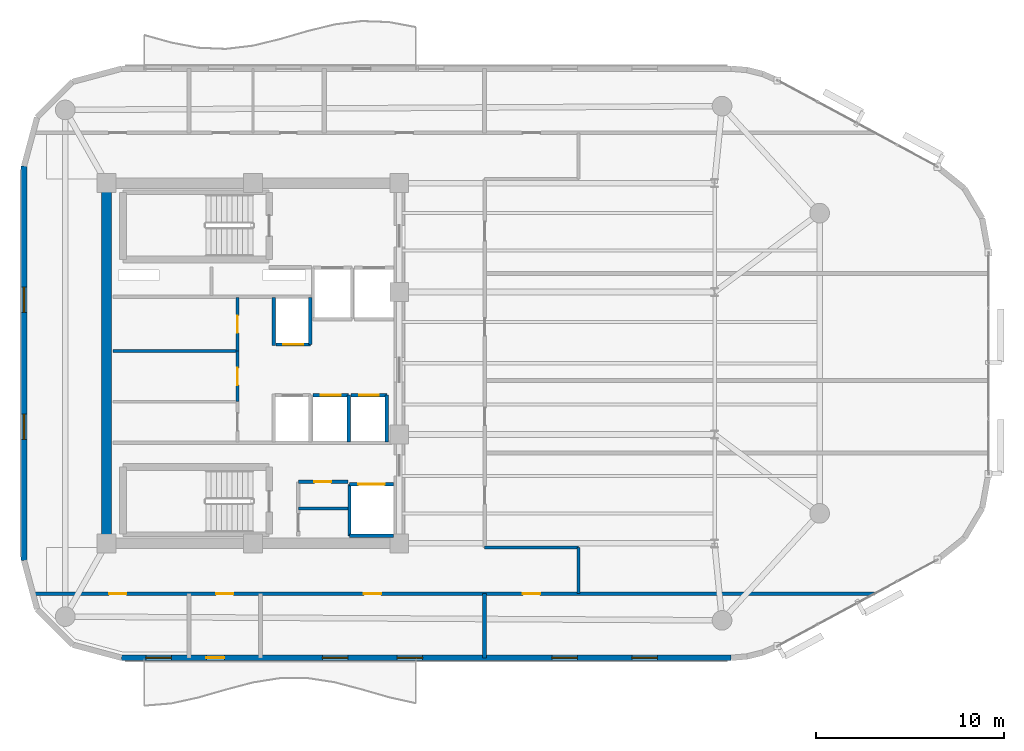
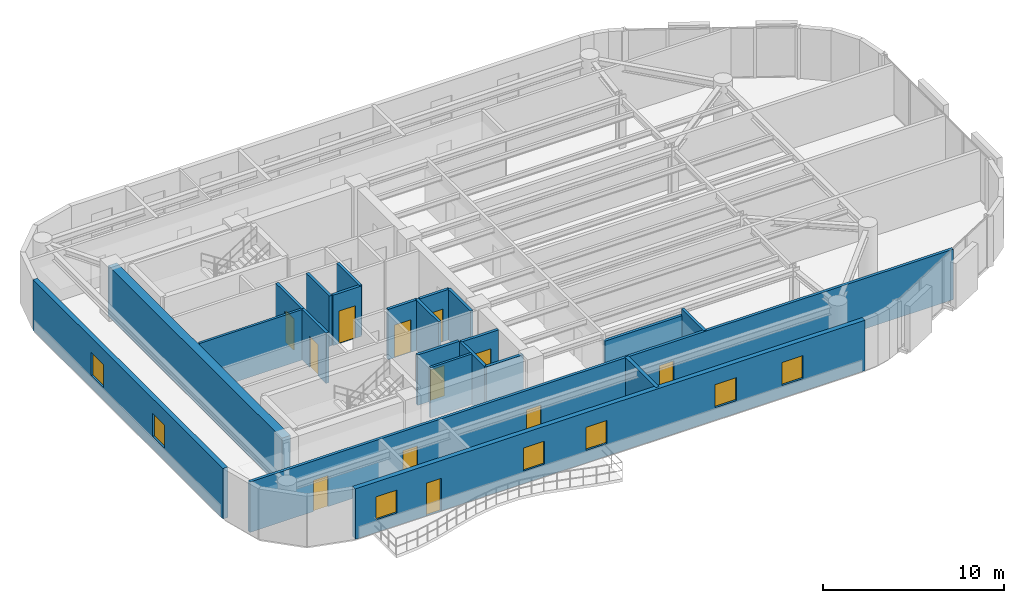
# One storey, part 9 of 13: 22 walls, 12 doors, 7 windows, 19 openings.
"""IFC4 building model written with IfcOpenShell, lengths in metres."""

from ifc_helpers import new_model, si_unit, direction, frame, frame_2d, origin, place, context, subcontext, project, spatial, rectangle, extrude, material, layer, layer_set, type_object, element, fill, save


model = new_model("IFC4")

# Units and contexts
model_context = context("Model", 3, precision=1e-05, world=origin(), true_north=direction((0.0, 1.0)))
body_context = subcontext(model_context, "Body", "Model", "MODEL_VIEW")
ifc_project = project(units=[si_unit("LENGTHUNIT", "METRE"), si_unit("AREAUNIT", "SQUARE_METRE"), si_unit("VOLUMEUNIT", "CUBIC_METRE"), si_unit("PLANEANGLEUNIT", "RADIAN"), si_unit("MASSUNIT", "GRAM", prefix="KILO")], contexts=[model_context])

# Site, building, storey
site_placement = place(None, origin())
site = spatial("IfcSite", under=ifc_project, at=site_placement, CompositionType="ELEMENT")
building_placement = place(site_placement, origin())
building = spatial("IfcBuilding", under=site, at=building_placement, Name="An Khanh Terracotta Commons", CompositionType="ELEMENT")
storey_placement = place(building_placement, frame((0.0, 0.0, 215.699951171875)))
storey = spatial("IfcBuildingStorey", under=building, at=storey_placement, Name="L56", CompositionType="ELEMENT", Elevation=215.699951171875)

# Wall
ifc_material_1 = material(Name="Concrete C50/60", Category="concrete")
ifc_layer_1 = layer(ifc_material_1, 0.550048828125, Name="Concrete C50/60")
ifc_layer_set_1 = layer_set([ifc_layer_1], Name="Concrete C50/60")
wall_type_1 = type_object("IfcWallType", Name="WALL-CORE-550", PredefinedType="SHEAR", material=ifc_layer_set_1)
wall_1_placement = place(storey_placement, frame((21.60009765625, 14.39990234375, 0.0), z_axis=(0.0, 0.0, 1.0), x_axis=(0.0, 1.0, 0.0)))
element("IfcWall", 1, at=wall_1_placement, inside=storey, type_object=wall_type_1, Name="L56 Core Wall CWALL-L56-W", PredefinedType="SHEAR", context=body_context, shape_type="SweptSolid", body=[
    extrude(rectangle(XDim=19.2001953125, YDim=0.550048828125, at=frame_2d((9.60009765625, 0.0))), origin(), (0.0, 0.0, 1.0), 3.400146484375),
])

# Wall, opening, door
ifc_material_2 = material(Name="Fire-Rated Gypsum Board on Steel Stud", Category="steel")
ifc_layer_2 = layer(ifc_material_2, 0.179931640625, Name="Fire-Rated Gypsum Board on Steel Stud")
ifc_layer_set_2 = layer_set([ifc_layer_2], Name="Fire-Rated Gypsum Board on Steel Stud")
wall_type_2 = type_object("IfcWallType", Name="WALL-CORR-180", PredefinedType="PARTITIONING", material=ifc_layer_set_2)
wall_2_placement = place(storey_placement, frame((31.820068359375, 17.679931640625, 0.0), z_axis=(0.0, 0.0, 1.0), x_axis=(1.0, 0.0, 0.0)))
wall_2 = element("IfcWall", 2, at=wall_2_placement, inside=storey, type_object=wall_type_2, Name="L56 Core Wall SSVCW-L56-N", PredefinedType="PARTITIONING", context=body_context, shape_type="SweptSolid", body=[
    extrude(rectangle(XDim=2.659912109375, YDim=0.179931640625, at=frame_2d((1.330078125, 0.0))), origin(), (0.0, 0.0, 1.0), 3.400146484375),
])
opening_1_placement = place(wall_2_placement, frame((0.85009765625, 0.0, 0.0)))
opening_1 = element("IfcOpeningElement", 3, at=opening_1_placement, cuts=wall_2, Name="Opening D-SV", PredefinedType="OPENING", context=body_context, shape_type="SweptSolid", body=[
    extrude(rectangle(XDim=0.89990234375, YDim=2.050048828125, at=frame_2d((0.449951171875, 1.02490234375))), frame((0.0, 0.099853515625, 0.0), z_axis=(0.0, -1.0, 0.0), x_axis=(1.0, 0.0, 0.0)), (0.0, 0.0, 1.0), 0.199951171875),
])
ifc_material_3 = material(Name="Fire-Rated Powder-Coated Steel Door", Category="steel")
door_type_1 = type_object("IfcDoorType", Name="DOOR-SERV-900", OperationType="NOTDEFINED", PredefinedType="DOOR", material=ifc_material_3)
door_1_placement = place(opening_1_placement, origin())
door_1 = element("IfcDoor", 4, at=door_1_placement, inside=storey, type_object=door_type_1, Name="L56 Core Cleaner Store Door", OperationType="SINGLE_SWING_LEFT", OverallHeight=2.050048828125, OverallWidth=0.89990234375, PredefinedType="DOOR", context=body_context, shape_type="SweptSolid", body=[
    extrude(rectangle(XDim=0.89990234375, YDim=2.050048828125, at=frame_2d((0.449951171875, 1.02490234375))), frame((0.0, 0.02490234375, 0.0), z_axis=(0.0, -1.0, 0.0), x_axis=(1.0, 0.0, 0.0)), (0.0, 0.0, 1.0), 0.050048828125),
])
fill(opening_1, door_1)

wall_3_placement = place(storey_placement, frame((34.550048828125, 17.550048828125, 0.0), z_axis=(0.0, 0.0, 1.0), x_axis=(1.0, 0.0, 0.0)))
wall_3 = element("IfcWall", 5, at=wall_3_placement, inside=storey, type_object=wall_type_2, Name="L56 Core Wall LSH-L56-SVL-01-N", PredefinedType="PARTITIONING", context=body_context, shape_type="SweptSolid", body=[
    extrude(rectangle(XDim=2.349853515625, YDim=0.179931640625, at=frame_2d((1.1748046875, 0.0))), origin(), (0.0, 0.0, 1.0), 3.400146484375),
])
opening_2_placement = place(wall_3_placement, frame((0.47509765625, 0.0, 0.0)))
opening_2 = element("IfcOpeningElement", 6, at=opening_2_placement, cuts=wall_3, Name="Opening LD-SVL-01-L56", PredefinedType="OPENING", context=body_context, shape_type="SweptSolid", body=[
    extrude(rectangle(XDim=1.39990234375, YDim=2.300048828125, at=frame_2d((0.699951171875, 1.14990234375))), frame((0.0, 0.099853515625, 0.0), z_axis=(0.0, -1.0, 0.0), x_axis=(1.0, 0.0, 0.0)), (0.0, 0.0, 1.0), 0.199951171875),
])
ifc_material_4 = material(Name="Heavy-Duty Stainless Steel Goods Landing Door", Category="steel")
door_type_2 = type_object("IfcDoorType", Name="DOOR-LD-SVL-1400", OperationType="NOTDEFINED", PredefinedType="DOOR", material=ifc_material_4)
door_2_placement = place(opening_2_placement, origin())
door_2 = element("IfcDoor", 7, at=door_2_placement, inside=storey, type_object=door_type_2, Name="L56 Lift SVL-01 Sliding Landing Door", OperationType="DOUBLE_DOOR_SLIDING", OverallHeight=2.300048828125, OverallWidth=1.39990234375, PredefinedType="DOOR", context=body_context, shape_type="SweptSolid", body=[
    extrude(rectangle(XDim=1.39990234375, YDim=2.300048828125, at=frame_2d((0.699951171875, 1.14990234375))), frame((0.0, 0.02490234375, 0.0), z_axis=(0.0, -1.0, 0.0), x_axis=(1.0, 0.0, 0.0)), (0.0, 0.0, 1.0), 0.050048828125),
])
fill(opening_2, door_2)

# Walls
wall_4_placement = place(storey_placement, frame((36.89990234375, 14.800048828125, 0.0), z_axis=(0.0, 0.0, 1.0), x_axis=(-1.0, 0.0, 0.0)))
element("IfcWall", 8, at=wall_4_placement, inside=storey, type_object=wall_type_2, Name="L56 Core Wall LSH-L56-SVL-01-S", PredefinedType="PARTITIONING", context=body_context, shape_type="SweptSolid", body=[
    extrude(rectangle(XDim=2.349853515625, YDim=0.179931640625, at=frame_2d((1.1748046875, 0.0))), origin(), (0.0, 0.0, 1.0), 3.400146484375),
])
wall_5_placement = place(storey_placement, frame((34.550048828125, 17.550048828125, 0.0), z_axis=(0.0, 0.0, 1.0), x_axis=(0.0, -1.0, 0.0)))
element("IfcWall", 9, at=wall_5_placement, inside=storey, type_object=wall_type_2, Name="L56 Core Wall LSH-L56-SVL-01-W", PredefinedType="PARTITIONING", context=body_context, shape_type="SweptSolid", body=[
    extrude(rectangle(XDim=2.75, YDim=0.179931640625, at=frame_2d((1.375, 0.0))), origin(), (0.0, 0.0, 1.0), 3.400146484375),
])

# Wall, opening, door
wall_6_placement = place(storey_placement, frame((32.4599609375, 25.0, 0.0), z_axis=(0.0, 0.0, 1.0), x_axis=(-1.0, 0.0, 0.0)))
wall_6 = element("IfcWall", 10, at=wall_6_placement, inside=storey, type_object=wall_type_2, Name="L56 Core Wall LSH-L56-PL-H1-S", PredefinedType="PARTITIONING", context=body_context, shape_type="SweptSolid", body=[
    extrude(rectangle(XDim=1.820068359375, YDim=0.179931640625, at=frame_2d((0.91015625, 0.0))), origin(), (0.0, 0.0, 1.0), 3.400146484375),
])
opening_3_placement = place(wall_6_placement, frame((0.385009765625, 0.0, 0.0)))
opening_3 = element("IfcOpeningElement", 11, at=opening_3_placement, cuts=wall_6, Name="Opening LD-PL-H1-L56", PredefinedType="OPENING", context=body_context, shape_type="SweptSolid", body=[
    extrude(rectangle(XDim=1.050048828125, YDim=2.199951171875, at=frame_2d((0.52490234375, 1.10009765625))), frame((0.0, 0.099853515625, 0.0), z_axis=(0.0, -1.0, 0.0), x_axis=(1.0, 0.0, 0.0)), (0.0, 0.0, 1.0), 0.199951171875),
])
ifc_material_5 = material(Name="Brushed Stainless Steel High-Rise Landing Door", Category="steel")
door_type_3 = type_object("IfcDoorType", Name="DOOR-LD-PAXH-1050", OperationType="NOTDEFINED", PredefinedType="DOOR", material=ifc_material_5)
door_3_placement = place(opening_3_placement, origin())
door_3 = element("IfcDoor", 12, at=door_3_placement, inside=storey, type_object=door_type_3, Name="L56 Lift PL-H1 Sliding Landing Door", OperationType="DOUBLE_DOOR_SLIDING", OverallHeight=2.199951171875, OverallWidth=1.050048828125, PredefinedType="DOOR", context=body_context, shape_type="SweptSolid", body=[
    extrude(rectangle(XDim=1.050048828125, YDim=2.199951171875, at=frame_2d((0.52490234375, 1.10009765625))), frame((0.0, 0.02490234375, 0.0), z_axis=(0.0, -1.0, 0.0), x_axis=(1.0, 0.0, 0.0)), (0.0, 0.0, 1.0), 0.050048828125),
])
fill(opening_3, door_3)

# Wall
wall_7_placement = place(storey_placement, frame((32.4599609375, 25.0, 0.0), z_axis=(0.0, 0.0, 1.0), x_axis=(0.0, 1.0, 0.0)))
element("IfcWall", 13, at=wall_7_placement, inside=storey, type_object=wall_type_2, Name="L56 Core Wall LSH-L56-PL-H1-E", PredefinedType="PARTITIONING", context=body_context, shape_type="SweptSolid", body=[
    extrude(rectangle(XDim=2.5, YDim=0.179931640625, at=frame_2d((1.25, 0.0))), origin(), (0.0, 0.0, 1.0), 3.400146484375),
])

# Wall, opening, door
wall_8_placement = place(storey_placement, frame((32.60009765625, 22.300048828125, 0.0), z_axis=(0.0, 0.0, 1.0), x_axis=(1.0, 0.0, 0.0)))
wall_8 = element("IfcWall", 14, at=wall_8_placement, inside=storey, type_object=wall_type_2, Name="L56 Core Wall LSH-L56-PL-H3-N", PredefinedType="PARTITIONING", context=body_context, shape_type="SweptSolid", body=[
    extrude(rectangle(XDim=1.89990234375, YDim=0.179931640625, at=frame_2d((0.949951171875, 0.0))), origin(), (0.0, 0.0, 1.0), 3.400146484375),
])
opening_4_placement = place(wall_8_placement, frame((0.425048828125, 0.0, 0.0)))
opening_4 = element("IfcOpeningElement", 15, at=opening_4_placement, cuts=wall_8, Name="Opening LD-PL-H3-L56", PredefinedType="OPENING", context=body_context, shape_type="SweptSolid", body=[
    extrude(rectangle(XDim=1.050048828125, YDim=2.199951171875, at=frame_2d((0.52490234375, 1.10009765625))), frame((0.0, 0.099853515625, 0.0), z_axis=(0.0, -1.0, 0.0), x_axis=(1.0, 0.0, 0.0)), (0.0, 0.0, 1.0), 0.199951171875),
])
door_4_placement = place(opening_4_placement, origin())
door_4 = element("IfcDoor", 16, at=door_4_placement, inside=storey, type_object=door_type_3, Name="L56 Lift PL-H3 Sliding Landing Door", OperationType="DOUBLE_DOOR_SLIDING", OverallHeight=2.199951171875, OverallWidth=1.050048828125, PredefinedType="DOOR", context=body_context, shape_type="SweptSolid", body=[
    extrude(rectangle(XDim=1.050048828125, YDim=2.199951171875, at=frame_2d((0.52490234375, 1.10009765625))), frame((0.0, 0.02490234375, 0.0), z_axis=(0.0, -1.0, 0.0), x_axis=(1.0, 0.0, 0.0)), (0.0, 0.0, 1.0), 0.050048828125),
])
fill(opening_4, door_4)

# Wall
wall_9_placement = place(storey_placement, frame((34.5, 19.800048828125, 0.0), z_axis=(0.0, 0.0, 1.0), x_axis=(0.0, 1.0, 0.0)))
element("IfcWall", 17, at=wall_9_placement, inside=storey, type_object=wall_type_2, Name="L56 Core Wall LSH-L56-PL-H3-E", PredefinedType="PARTITIONING", context=body_context, shape_type="SweptSolid", body=[
    extrude(rectangle(XDim=2.5, YDim=0.179931640625, at=frame_2d((1.25, 0.0))), origin(), (0.0, 0.0, 1.0), 3.400146484375),
])

# Wall, opening, door
wall_10_placement = place(storey_placement, frame((34.639892578125, 22.300048828125, 0.0), z_axis=(0.0, 0.0, 1.0), x_axis=(1.0, 0.0, 0.0)))
wall_10 = element("IfcWall", 18, at=wall_10_placement, inside=storey, type_object=wall_type_2, Name="L56 Core Wall LSH-L56-PL-H4-N", PredefinedType="PARTITIONING", context=body_context, shape_type="SweptSolid", body=[
    extrude(rectangle(XDim=1.900146484375, YDim=0.179931640625, at=frame_2d((0.9501953125, 0.0))), origin(), (0.0, 0.0, 1.0), 3.400146484375),
])
opening_5_placement = place(wall_10_placement, frame((0.425048828125, 0.0, 0.0)))
opening_5 = element("IfcOpeningElement", 19, at=opening_5_placement, cuts=wall_10, Name="Opening LD-PL-H4-L56", PredefinedType="OPENING", context=body_context, shape_type="SweptSolid", body=[
    extrude(rectangle(XDim=1.050048828125, YDim=2.199951171875, at=frame_2d((0.52490234375, 1.10009765625))), frame((0.0, 0.099853515625, 0.0), z_axis=(0.0, -1.0, 0.0), x_axis=(1.0, 0.0, 0.0)), (0.0, 0.0, 1.0), 0.199951171875),
])
door_5_placement = place(opening_5_placement, origin())
door_5 = element("IfcDoor", 20, at=door_5_placement, inside=storey, type_object=door_type_3, Name="L56 Lift PL-H4 Sliding Landing Door", OperationType="DOUBLE_DOOR_SLIDING", OverallHeight=2.199951171875, OverallWidth=1.050048828125, PredefinedType="DOOR", context=body_context, shape_type="SweptSolid", body=[
    extrude(rectangle(XDim=1.050048828125, YDim=2.199951171875, at=frame_2d((0.52490234375, 1.10009765625))), frame((0.0, 0.02490234375, 0.0), z_axis=(0.0, -1.0, 0.0), x_axis=(1.0, 0.0, 0.0)), (0.0, 0.0, 1.0), 0.050048828125),
])
fill(opening_5, door_5)

# Walls
wall_11_placement = place(storey_placement, frame((36.5400390625, 19.800048828125, 0.0), z_axis=(0.0, 0.0, 1.0), x_axis=(0.0, 1.0, 0.0)))
element("IfcWall", 21, at=wall_11_placement, inside=storey, type_object=wall_type_2, Name="L56 Core Wall LSH-L56-PL-H4-E", PredefinedType="PARTITIONING", context=body_context, shape_type="SweptSolid", body=[
    extrude(rectangle(XDim=2.5, YDim=0.179931640625, at=frame_2d((1.25, 0.0))), origin(), (0.0, 0.0, 1.0), 3.400146484375),
])
wall_12_placement = place(storey_placement, frame((30.52001953125, 24.949951171875, 0.0), z_axis=(0.0, 0.0, 1.0), x_axis=(0.0, 1.0, 0.0)))
element("IfcWall", 22, at=wall_12_placement, inside=storey, type_object=wall_type_2, Name="L56 Core Wall RECW-L56-BE1", PredefinedType="PARTITIONING", context=body_context, shape_type="SweptSolid", body=[
    extrude(rectangle(XDim=2.550048828125, YDim=0.179931640625, at=frame_2d((1.27490234375, 0.0))), origin(), (0.0, 0.0, 1.0), 3.400146484375),
])

# Wall, opening, door
wall_13_placement = place(storey_placement, frame((28.580078125, 24.64990234375, 0.0), z_axis=(0.0, 0.0, 1.0), x_axis=(0.0, 1.0, 0.0)))
wall_13 = element("IfcWall", 23, at=wall_13_placement, inside=storey, type_object=wall_type_2, Name="L56 Core Wall RECW-L56-E1", PredefinedType="PARTITIONING", context=body_context, shape_type="SweptSolid", body=[
    extrude(rectangle(XDim=2.85009765625, YDim=0.179931640625, at=frame_2d((1.425048828125, 0.0))), origin(), (0.0, 0.0, 1.0), 3.400146484375),
])
opening_6_placement = place(wall_13_placement, frame((0.965087890625, 0.0, 0.0)))
opening_6 = element("IfcOpeningElement", 24, at=opening_6_placement, cuts=wall_13, Name="Opening D-RM", PredefinedType="OPENING", context=body_context, shape_type="SweptSolid", body=[
    extrude(rectangle(XDim=0.919921875, YDim=2.10009765625, at=frame_2d((0.4599609375, 1.050048828125))), frame((0.0, 0.099853515625, 0.0), z_axis=(0.0, -1.0, 0.0), x_axis=(1.0, 0.0, 0.0)), (0.0, 0.0, 1.0), 0.199951171875),
])
ifc_material_6 = material(Name="Engineered Hardwood Timber Leaf", Category="wood")
door_type_4 = type_object("IfcDoorType", Name="DOOR-INT-920", OperationType="NOTDEFINED", PredefinedType="DOOR", material=ifc_material_6)
door_6_placement = place(opening_6_placement, origin())
door_6 = element("IfcDoor", 25, at=door_6_placement, inside=storey, type_object=door_type_4, Name="L56 Quiet Focus Pod Door", OperationType="SINGLE_SWING_LEFT", OverallHeight=2.10009765625, OverallWidth=0.919921875, PredefinedType="DOOR", context=body_context, shape_type="SweptSolid", body=[
    extrude(rectangle(XDim=0.919921875, YDim=2.10009765625, at=frame_2d((0.4599609375, 1.050048828125))), frame((0.0, 0.02490234375, 0.0), z_axis=(0.0, -1.0, 0.0), x_axis=(1.0, 0.0, 0.0)), (0.0, 0.0, 1.0), 0.050048828125),
])
fill(opening_6, door_6)

wall_14_placement = place(storey_placement, frame((28.580078125, 21.949951171875, 0.0), z_axis=(0.0, 0.0, 1.0), x_axis=(0.0, 1.0, 0.0)))
wall_14 = element("IfcWall", 26, at=wall_14_placement, inside=storey, type_object=wall_type_2, Name="L56 Core Wall RECW-L56-E2", PredefinedType="PARTITIONING", context=body_context, shape_type="SweptSolid", body=[
    extrude(rectangle(XDim=2.699951171875, YDim=0.179931640625, at=frame_2d((1.35009765625, 0.0))), origin(), (0.0, 0.0, 1.0), 3.400146484375),
])
opening_7_placement = place(wall_14_placement, frame((0.889892578125, 0.0, 0.0)))
opening_7 = element("IfcOpeningElement", 27, at=opening_7_placement, cuts=wall_14, Name="Opening D-RM", PredefinedType="OPENING", context=body_context, shape_type="SweptSolid", body=[
    extrude(rectangle(XDim=0.919921875, YDim=2.10009765625, at=frame_2d((0.4599609375, 1.050048828125))), frame((0.0, 0.099853515625, 0.0), z_axis=(0.0, -1.0, 0.0), x_axis=(1.0, 0.0, 0.0)), (0.0, 0.0, 1.0), 0.199951171875),
])
door_7_placement = place(opening_7_placement, origin())
door_7 = element("IfcDoor", 28, at=door_7_placement, inside=storey, type_object=door_type_4, Name="L56 Floor Pantry and Tea Room Door", OperationType="SINGLE_SWING_RIGHT", OverallHeight=2.10009765625, OverallWidth=0.919921875, PredefinedType="DOOR", context=body_context, shape_type="SweptSolid", body=[
    extrude(rectangle(XDim=0.919921875, YDim=2.10009765625, at=frame_2d((0.4599609375, 1.050048828125))), frame((0.0, 0.02490234375, 0.0), z_axis=(0.0, -1.0, 0.0), x_axis=(1.0, 0.0, 0.0)), (0.0, 0.0, 1.0), 0.050048828125),
])
fill(opening_7, door_7)

# Wall, openings, doors
wall_15_placement = place(storey_placement, frame((17.677001953125, 11.719970703125, 0.0), z_axis=(0.0, 0.0, 1.0), x_axis=(1.0, 0.0, 0.0)))
wall_15 = element("IfcWall", 29, at=wall_15_placement, inside=storey, type_object=wall_type_2, Name="L56 Interior Partition IW-L56-E001", PredefinedType="PARTITIONING", context=body_context, shape_type="SweptSolid", body=[
    extrude(rectangle(XDim=44.85302734375, YDim=0.179931640625, at=frame_2d((22.426513671875, 0.0))), origin(), (0.0, 0.0, 1.0), 3.400146484375),
])
opening_8_placement = place(wall_15_placement, frame((9.762939453125, 0.0, 0.0)))
opening_8 = element("IfcOpeningElement", 30, at=opening_8_placement, cuts=wall_15, Name="Opening D-RM", PredefinedType="OPENING", context=body_context, shape_type="SweptSolid", body=[
    extrude(rectangle(XDim=0.919921875, YDim=2.10009765625, at=frame_2d((0.4599609375, 1.050048828125))), frame((0.0, 0.099853515625, 0.0), z_axis=(0.0, -1.0, 0.0), x_axis=(1.0, 0.0, 0.0)), (0.0, 0.0, 1.0), 0.199951171875),
])
opening_9_placement = place(wall_15_placement, frame((26.113037109375, 0.0, 0.0)))
opening_9 = element("IfcOpeningElement", 31, at=opening_9_placement, cuts=wall_15, Name="Opening D-RM", PredefinedType="OPENING", context=body_context, shape_type="SweptSolid", body=[
    extrude(rectangle(XDim=0.919921875, YDim=2.10009765625, at=frame_2d((0.4599609375, 1.050048828125))), frame((0.0, 0.099853515625, 0.0), z_axis=(0.0, -1.0, 0.0), x_axis=(1.0, 0.0, 0.0)), (0.0, 0.0, 1.0), 0.199951171875),
])
opening_10_placement = place(wall_15_placement, frame((4.06298828125, 0.0, 0.0)))
opening_10 = element("IfcOpeningElement", 32, at=opening_10_placement, cuts=wall_15, Name="Opening D-RM", PredefinedType="OPENING", context=body_context, shape_type="SweptSolid", body=[
    extrude(rectangle(XDim=0.919921875, YDim=2.10009765625, at=frame_2d((0.4599609375, 1.050048828125))), frame((0.0, 0.099853515625, 0.0), z_axis=(0.0, -1.0, 0.0), x_axis=(1.0, 0.0, 0.0)), (0.0, 0.0, 1.0), 0.199951171875),
])
opening_11_placement = place(wall_15_placement, frame((17.637939453125, 0.0, 0.0)))
opening_11 = element("IfcOpeningElement", 33, at=opening_11_placement, cuts=wall_15, Name="Opening D-RM", PredefinedType="OPENING", context=body_context, shape_type="SweptSolid", body=[
    extrude(rectangle(XDim=0.919921875, YDim=2.10009765625, at=frame_2d((0.4599609375, 1.050048828125))), frame((0.0, 0.099853515625, 0.0), z_axis=(0.0, -1.0, 0.0), x_axis=(1.0, 0.0, 0.0)), (0.0, 0.0, 1.0), 0.199951171875),
])
door_8_placement = place(opening_8_placement, origin())
door_8 = element("IfcDoor", 34, at=door_8_placement, inside=storey, type_object=door_type_4, Name="L56 HKP Housekeeping Linen Store Door", OperationType="SINGLE_SWING_RIGHT", OverallHeight=2.10009765625, OverallWidth=0.919921875, PredefinedType="DOOR", context=body_context, shape_type="SweptSolid", body=[
    extrude(rectangle(XDim=0.919921875, YDim=2.10009765625, at=frame_2d((0.4599609375, 1.050048828125))), frame((0.0, 0.02490234375, 0.0), z_axis=(0.0, -1.0, 0.0), x_axis=(1.0, 0.0, 0.0)), (0.0, 0.0, 1.0), 0.050048828125),
])
fill(opening_8, door_8)
door_9_placement = place(opening_9_placement, origin())
door_9 = element("IfcDoor", 35, at=door_9_placement, inside=storey, type_object=door_type_4, Name="L56 FANS Quiet Focus Office Door", OperationType="SINGLE_SWING_RIGHT", OverallHeight=2.10009765625, OverallWidth=0.919921875, PredefinedType="DOOR", context=body_context, shape_type="SweptSolid", body=[
    extrude(rectangle(XDim=0.919921875, YDim=2.10009765625, at=frame_2d((0.4599609375, 1.050048828125))), frame((0.0, 0.02490234375, 0.0), z_axis=(0.0, -1.0, 0.0), x_axis=(1.0, 0.0, 0.0)), (0.0, 0.0, 1.0), 0.050048828125),
])
fill(opening_9, door_9)
door_10_placement = place(opening_10_placement, origin())
door_10 = element("IfcDoor", 36, at=door_10_placement, inside=storey, type_object=door_type_4, Name="L56 SW1 Student Reading Library Door", OperationType="SINGLE_SWING_LEFT", OverallHeight=2.10009765625, OverallWidth=0.919921875, PredefinedType="DOOR", context=body_context, shape_type="SweptSolid", body=[
    extrude(rectangle(XDim=0.919921875, YDim=2.10009765625, at=frame_2d((0.4599609375, 1.050048828125))), frame((0.0, 0.02490234375, 0.0), z_axis=(0.0, -1.0, 0.0), x_axis=(1.0, 0.0, 0.0)), (0.0, 0.0, 1.0), 0.050048828125),
])
fill(opening_10, door_10)
door_11_placement = place(opening_11_placement, origin())
door_11 = element("IfcDoor", 37, at=door_11_placement, inside=storey, type_object=door_type_4, Name="L56 SWE Music Practice Room Door", OperationType="SINGLE_SWING_RIGHT", OverallHeight=2.10009765625, OverallWidth=0.919921875, PredefinedType="DOOR", context=body_context, shape_type="SweptSolid", body=[
    extrude(rectangle(XDim=0.919921875, YDim=2.10009765625, at=frame_2d((0.4599609375, 1.050048828125))), frame((0.0, 0.02490234375, 0.0), z_axis=(0.0, -1.0, 0.0), x_axis=(1.0, 0.0, 0.0)), (0.0, 0.0, 1.0), 0.050048828125),
])
fill(opening_11, door_11)

# Walls
wall_16_placement = place(storey_placement, frame((41.75, 14.179931640625, 0.0), z_axis=(0.0, 0.0, 1.0), x_axis=(1.0, 0.0, 0.0)))
element("IfcWall", 38, at=wall_16_placement, inside=storey, type_object=wall_type_2, Name="L56 Interior Partition IW-L56-E002", PredefinedType="PARTITIONING", context=body_context, shape_type="SweptSolid", body=[
    extrude(rectangle(XDim=5.0, YDim=0.179931640625, at=frame_2d((2.5, 0.0))), origin(), (0.0, 0.0, 1.0), 2.98193359375),
])
wall_17_placement = place(storey_placement, frame((46.75, 11.719970703125, 0.0), z_axis=(0.0, 0.0, 1.0), x_axis=(0.0, 1.0, 0.0)))
element("IfcWall", 39, at=wall_17_placement, inside=storey, type_object=wall_type_2, Name="L56 Interior Partition IW-L56-E016", PredefinedType="PARTITIONING", context=body_context, shape_type="SweptSolid", body=[
    extrude(rectangle(XDim=2.4599609375, YDim=0.179931640625, at=frame_2d((1.22998046875, 0.0))), origin(), (0.0, 0.0, 1.0), 3.400146484375),
])

# Wall, openings, door, windows
ifc_material_7 = material(Name="Precast concrete C40/50", Category="concrete")
ifc_layer_3 = layer(ifc_material_7, 0.300048828125, Name="Precast concrete C40/50")
ifc_layer_set_3 = layer_set([ifc_layer_3], Name="Precast concrete C40/50")
wall_type_3 = type_object("IfcWallType", Name="WALL-EXT-300", PredefinedType="SOLIDWALL", material=ifc_layer_set_3)
wall_18_placement = place(storey_placement, frame((22.39990234375, 8.300048828125, 0.0), z_axis=(0.0, 0.0, 1.0), x_axis=(1.0, 0.0, 0.0)))
wall_18 = element("IfcWall", 40, at=wall_18_placement, inside=storey, type_object=wall_type_3, Name="L56 Insulated Terracotta Exterior Wall 4", PredefinedType="SOLIDWALL", context=body_context, shape_type="SweptSolid", body=[
    extrude(rectangle(XDim=32.485107421875, YDim=0.300048828125, at=frame_2d((16.24267578125, 0.0))), origin(), (0.0, 0.0, 1.0), 3.400146484375),
])
opening_12_placement = place(wall_18_placement, frame((4.52490234375, 0.0, 0.0)))
opening_12 = element("IfcOpeningElement", 41, at=opening_12_placement, cuts=wall_18, Name="Opening D-BAL", PredefinedType="OPENING", context=body_context, shape_type="SweptSolid", body=[
    extrude(rectangle(XDim=0.949951171875, YDim=2.199951171875, at=frame_2d((0.47509765625, 1.10009765625))), frame((0.0, 0.159912109375, 0.0), z_axis=(0.0, -1.0, 0.0), x_axis=(1.0, 0.0, 0.0)), (0.0, 0.0, 1.0), 0.320068359375),
])
opening_13_placement = place(wall_18_placement, frame((1.300048828125, 0.0, 0.85009765625)))
opening_13 = element("IfcOpeningElement", 42, at=opening_13_placement, cuts=wall_18, Name="Opening W-04", PredefinedType="OPENING", context=body_context, shape_type="SweptSolid", body=[
    extrude(rectangle(XDim=1.35009765625, YDim=1.550048828125, at=frame_2d((0.675048828125, 0.77490234375))), frame((0.0, 0.159912109375, 0.0), z_axis=(0.0, -1.0, 0.0), x_axis=(1.0, 0.0, 0.0)), (0.0, 0.0, 1.0), 0.320068359375),
])
opening_14_placement = place(wall_18_placement, frame((10.7080078125, 0.0, 0.85009765625)))
opening_14 = element("IfcOpeningElement", 43, at=opening_14_placement, cuts=wall_18, Name="Opening W-04", PredefinedType="OPENING", context=body_context, shape_type="SweptSolid", body=[
    extrude(rectangle(XDim=1.35009765625, YDim=1.550048828125, at=frame_2d((0.675048828125, 0.77490234375))), frame((0.0, 0.159912109375, 0.0), z_axis=(0.0, -1.0, 0.0), x_axis=(1.0, 0.0, 0.0)), (0.0, 0.0, 1.0), 0.320068359375),
])
opening_15_placement = place(wall_18_placement, frame((14.69189453125, 0.0, 0.85009765625)))
opening_15 = element("IfcOpeningElement", 44, at=opening_15_placement, cuts=wall_18, Name="Opening W-04", PredefinedType="OPENING", context=body_context, shape_type="SweptSolid", body=[
    extrude(rectangle(XDim=1.35009765625, YDim=1.550048828125, at=frame_2d((0.675048828125, 0.77490234375))), frame((0.0, 0.159912109375, 0.0), z_axis=(0.0, -1.0, 0.0), x_axis=(1.0, 0.0, 0.0)), (0.0, 0.0, 1.0), 0.320068359375),
])
opening_16_placement = place(wall_18_placement, frame((22.93701171875, 0.0, 0.85009765625)))
opening_16 = element("IfcOpeningElement", 45, at=opening_16_placement, cuts=wall_18, Name="Opening W-04", PredefinedType="OPENING", context=body_context, shape_type="SweptSolid", body=[
    extrude(rectangle(XDim=1.35009765625, YDim=1.550048828125, at=frame_2d((0.675048828125, 0.77490234375))), frame((0.0, 0.159912109375, 0.0), z_axis=(0.0, -1.0, 0.0), x_axis=(1.0, 0.0, 0.0)), (0.0, 0.0, 1.0), 0.320068359375),
])
opening_17_placement = place(wall_18_placement, frame((27.197998046875, 0.0, 0.85009765625)))
opening_17 = element("IfcOpeningElement", 46, at=opening_17_placement, cuts=wall_18, Name="Opening W-04", PredefinedType="OPENING", context=body_context, shape_type="SweptSolid", body=[
    extrude(rectangle(XDim=1.35009765625, YDim=1.550048828125, at=frame_2d((0.675048828125, 0.77490234375))), frame((0.0, 0.159912109375, 0.0), z_axis=(0.0, -1.0, 0.0), x_axis=(1.0, 0.0, 0.0)), (0.0, 0.0, 1.0), 0.320068359375),
])
ifc_material_8 = material(Name="Thermally Broken Aluminium and Low-E Glass", Category="aluminium")
door_type_5 = type_object("IfcDoorType", Name="DOOR-BALC-950", OperationType="NOTDEFINED", PredefinedType="DOOR", material=ifc_material_8)
door_12_placement = place(opening_12_placement, origin())
door_12 = element("IfcDoor", 47, at=door_12_placement, inside=storey, type_object=door_type_5, Name="L56 S Wave Balcony Glazed Door", OperationType="SINGLE_SWING_LEFT", OverallHeight=2.199951171875, OverallWidth=0.949951171875, PredefinedType="DOOR", context=body_context, shape_type="SweptSolid", body=[
    extrude(rectangle(XDim=0.949951171875, YDim=2.199951171875, at=frame_2d((0.47509765625, 1.10009765625))), frame((0.0, 0.02490234375, 0.0), z_axis=(0.0, -1.0, 0.0), x_axis=(1.0, 0.0, 0.0)), (0.0, 0.0, 1.0), 0.050048828125),
])
fill(opening_12, door_12)
window_type = type_object("IfcWindowType", Name="WIN-Z4-1350x1550", PartitioningType="SINGLE_PANEL", PredefinedType="WINDOW", material=ifc_material_8)
window_1_placement = place(opening_13_placement, origin())
window_1 = element("IfcWindow", 48, at=window_1_placement, inside=storey, type_object=window_type, Name="L56 Operable Casement Window 4.1", OverallHeight=1.550048828125, OverallWidth=1.35009765625, PartitioningType="SINGLE_PANEL", PredefinedType="WINDOW", context=body_context, shape_type="SweptSolid", body=[
    extrude(rectangle(XDim=1.35009765625, YDim=1.550048828125, at=frame_2d((0.675048828125, 0.77490234375))), frame((0.0, 0.030029296875, 0.0), z_axis=(0.0, -1.0, 0.0), x_axis=(1.0, 0.0, 0.0)), (0.0, 0.0, 1.0), 0.06005859375),
])
fill(opening_13, window_1)
window_2_placement = place(opening_14_placement, origin())
window_2 = element("IfcWindow", 49, at=window_2_placement, inside=storey, type_object=window_type, Name="L56 Operable Casement Window 4.2", OverallHeight=1.550048828125, OverallWidth=1.35009765625, PartitioningType="SINGLE_PANEL", PredefinedType="WINDOW", context=body_context, shape_type="SweptSolid", body=[
    extrude(rectangle(XDim=1.35009765625, YDim=1.550048828125, at=frame_2d((0.675048828125, 0.77490234375))), frame((0.0, 0.030029296875, 0.0), z_axis=(0.0, -1.0, 0.0), x_axis=(1.0, 0.0, 0.0)), (0.0, 0.0, 1.0), 0.06005859375),
])
fill(opening_14, window_2)
window_3_placement = place(opening_15_placement, origin())
window_3 = element("IfcWindow", 50, at=window_3_placement, inside=storey, type_object=window_type, Name="L56 Operable Casement Window 4.3", OverallHeight=1.550048828125, OverallWidth=1.35009765625, PartitioningType="SINGLE_PANEL", PredefinedType="WINDOW", context=body_context, shape_type="SweptSolid", body=[
    extrude(rectangle(XDim=1.35009765625, YDim=1.550048828125, at=frame_2d((0.675048828125, 0.77490234375))), frame((0.0, 0.030029296875, 0.0), z_axis=(0.0, -1.0, 0.0), x_axis=(1.0, 0.0, 0.0)), (0.0, 0.0, 1.0), 0.06005859375),
])
fill(opening_15, window_3)
window_4_placement = place(opening_16_placement, origin())
window_4 = element("IfcWindow", 51, at=window_4_placement, inside=storey, type_object=window_type, Name="L56 Operable Casement Window 4.4", OverallHeight=1.550048828125, OverallWidth=1.35009765625, PartitioningType="SINGLE_PANEL", PredefinedType="WINDOW", context=body_context, shape_type="SweptSolid", body=[
    extrude(rectangle(XDim=1.35009765625, YDim=1.550048828125, at=frame_2d((0.675048828125, 0.77490234375))), frame((0.0, 0.030029296875, 0.0), z_axis=(0.0, -1.0, 0.0), x_axis=(1.0, 0.0, 0.0)), (0.0, 0.0, 1.0), 0.06005859375),
])
fill(opening_16, window_4)
window_5_placement = place(opening_17_placement, origin())
window_5 = element("IfcWindow", 52, at=window_5_placement, inside=storey, type_object=window_type, Name="L56 Operable Casement Window 4.5", OverallHeight=1.550048828125, OverallWidth=1.35009765625, PartitioningType="SINGLE_PANEL", PredefinedType="WINDOW", context=body_context, shape_type="SweptSolid", body=[
    extrude(rectangle(XDim=1.35009765625, YDim=1.550048828125, at=frame_2d((0.675048828125, 0.77490234375))), frame((0.0, 0.030029296875, 0.0), z_axis=(0.0, -1.0, 0.0), x_axis=(1.0, 0.0, 0.0)), (0.0, 0.0, 1.0), 0.06005859375),
])
fill(opening_17, window_5)

# Wall, openings, windows
wall_19_placement = place(storey_placement, frame((17.199951171875, 34.5, 0.0), z_axis=(0.0, 0.0, 1.0), x_axis=(0.0, -1.0, 0.0)))
wall_19 = element("IfcWall", 53, at=wall_19_placement, inside=storey, type_object=wall_type_3, Name="L56 Insulated Terracotta Exterior Wall 24", PredefinedType="SOLIDWALL", context=body_context, shape_type="SweptSolid", body=[
    extrude(rectangle(XDim=21.0, YDim=0.300048828125, at=frame_2d((10.5, 0.0))), origin(), (0.0, 0.0, 1.0), 3.400146484375),
])
opening_18_placement = place(wall_19_placement, frame((6.44189453125, 0.0, 0.85009765625)))
opening_18 = element("IfcOpeningElement", 54, at=opening_18_placement, cuts=wall_19, Name="Opening W-04", PredefinedType="OPENING", context=body_context, shape_type="SweptSolid", body=[
    extrude(rectangle(XDim=1.35009765625, YDim=1.550048828125, at=frame_2d((0.675048828125, 0.77490234375))), frame((0.0, 0.159912109375, 0.0), z_axis=(0.0, -1.0, 0.0), x_axis=(1.0, 0.0, 0.0)), (0.0, 0.0, 1.0), 0.320068359375),
])
opening_19_placement = place(wall_19_placement, frame((13.2080078125, 0.0, 0.85009765625)))
opening_19 = element("IfcOpeningElement", 55, at=opening_19_placement, cuts=wall_19, Name="Opening W-04", PredefinedType="OPENING", context=body_context, shape_type="SweptSolid", body=[
    extrude(rectangle(XDim=1.35009765625, YDim=1.550048828125, at=frame_2d((0.675048828125, 0.77490234375))), frame((0.0, 0.159912109375, 0.0), z_axis=(0.0, -1.0, 0.0), x_axis=(1.0, 0.0, 0.0)), (0.0, 0.0, 1.0), 0.320068359375),
])
window_6_placement = place(opening_18_placement, origin())
window_6 = element("IfcWindow", 56, at=window_6_placement, inside=storey, type_object=window_type, Name="L56 Operable Casement Window 24.1", OverallHeight=1.550048828125, OverallWidth=1.35009765625, PartitioningType="SINGLE_PANEL", PredefinedType="WINDOW", context=body_context, shape_type="SweptSolid", body=[
    extrude(rectangle(XDim=1.35009765625, YDim=1.550048828125, at=frame_2d((0.675048828125, 0.77490234375))), frame((0.0, 0.030029296875, 0.0), z_axis=(0.0, -1.0, 0.0), x_axis=(1.0, 0.0, 0.0)), (0.0, 0.0, 1.0), 0.06005859375),
])
fill(opening_18, window_6)
window_7_placement = place(opening_19_placement, origin())
window_7 = element("IfcWindow", 57, at=window_7_placement, inside=storey, type_object=window_type, Name="L56 Operable Casement Window 24.2", OverallHeight=1.550048828125, OverallWidth=1.35009765625, PartitioningType="SINGLE_PANEL", PredefinedType="WINDOW", context=body_context, shape_type="SweptSolid", body=[
    extrude(rectangle(XDim=1.35009765625, YDim=1.550048828125, at=frame_2d((0.675048828125, 0.77490234375))), frame((0.0, 0.030029296875, 0.0), z_axis=(0.0, -1.0, 0.0), x_axis=(1.0, 0.0, 0.0)), (0.0, 0.0, 1.0), 0.06005859375),
])
fill(opening_19, window_7)

# Walls
ifc_material_9 = material(Name="Acoustic Gypsum Board Partition")
ifc_layer_4 = layer(ifc_material_9, 0.14990234375, Name="Acoustic Gypsum Board Partition")
ifc_layer_set_4 = layer_set([ifc_layer_4], Name="Acoustic Gypsum Board Partition")
wall_type_4 = type_object("IfcWallType", Name="WALL-PART-150", PredefinedType="PARTITIONING", material=ifc_layer_set_4)
wall_20_placement = place(storey_placement, frame((31.820068359375, 16.260009765625, 0.0), z_axis=(0.0, 0.0, 1.0), x_axis=(1.0, 0.0, 0.0)))
element("IfcWall", 58, at=wall_20_placement, inside=storey, type_object=wall_type_4, Name="L56 Core Wall SSVCW-L56-M", PredefinedType="PARTITIONING", context=body_context, shape_type="SweptSolid", body=[
    extrude(rectangle(XDim=2.659912109375, YDim=0.14990234375, at=frame_2d((1.330078125, 0.0))), origin(), (0.0, 0.0, 1.0), 3.400146484375),
])
wall_21_placement = place(storey_placement, frame((21.949951171875, 24.64990234375, 0.0), z_axis=(0.0, 0.0, 1.0), x_axis=(1.0, 0.0, 0.0)))
element("IfcWall", 59, at=wall_21_placement, inside=storey, type_object=wall_type_4, Name="L56 Core Wall RECW-L56-H1", PredefinedType="PARTITIONING", context=body_context, shape_type="SweptSolid", body=[
    extrude(rectangle(XDim=6.630126953125, YDim=0.14990234375, at=frame_2d((3.31494140625, 0.0))), origin(), (0.0, 0.0, 1.0), 3.400146484375),
])
ifc_material_10 = material(Name="Acoustic Double-Stud Gypsum and Mineral Wool")
ifc_layer_5 = layer(ifc_material_10, 0.219970703125, Name="Acoustic Double-Stud Gypsum and Mineral Wool")
ifc_layer_set_5 = layer_set([ifc_layer_5], Name="Acoustic Double-Stud Gypsum and Mineral Wool")
wall_type_5 = type_object("IfcWallType", Name="WALL-PARTY-220", PredefinedType="PARTITIONING", material=ifc_layer_set_5)
wall_22_placement = place(storey_placement, frame((41.75, 8.300048828125, 0.0), z_axis=(0.0, 0.0, 1.0), x_axis=(0.0, 1.0, 0.0)))
element("IfcWall", 60, at=wall_22_placement, inside=storey, type_object=wall_type_5, Name="L56 Interior Partition IW-L56-E013", PredefinedType="PARTITIONING", context=body_context, shape_type="SweptSolid", body=[
    extrude(rectangle(XDim=3.419921875, YDim=0.219970703125, at=frame_2d((1.7099609375, 0.0))), origin(), (0.0, 0.0, 1.0), 3.400146484375),
])

save(model, "model.ifc")
